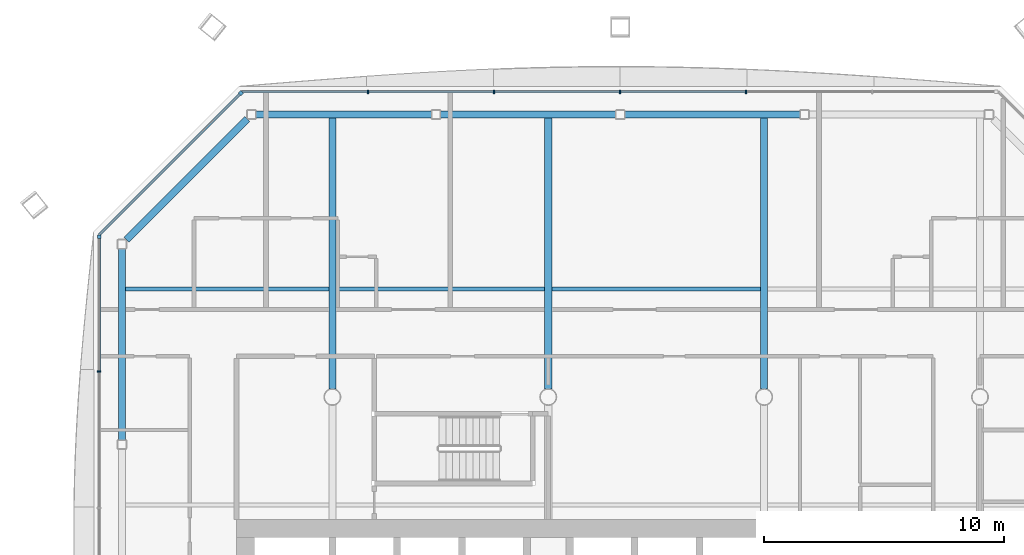
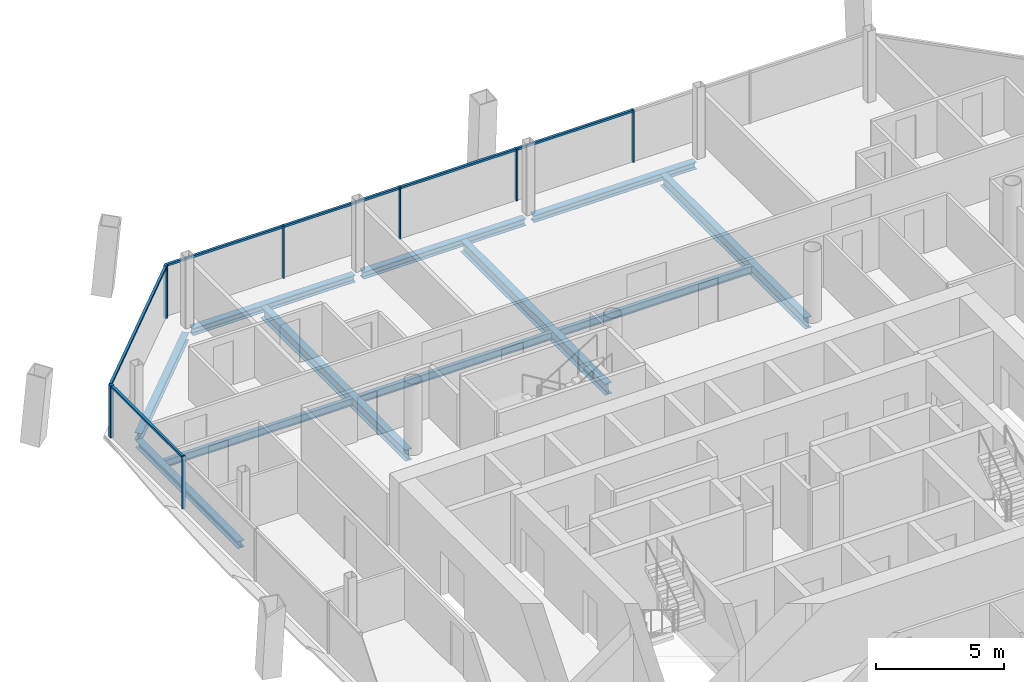
# One storey, part 8 of 17: 13 members, 11 beams, 3 elements without a shape of their own.
"""IFC4 building model written with IfcOpenShell, lengths in metres."""

from ifc_helpers import new_model, si_unit, direction, frame, origin, origin_2d, place, context, subcontext, project, spatial, rectangle, i_section, extrude, material, material_profile, profile_set, type_object, element, aggregate, save


model = new_model("IFC4")

# Units and contexts
model_context = context("Model", 3, precision=1e-05, world=origin(), true_north=direction((0.0, 1.0)))
body_context = subcontext(model_context, "Body", "Model", "MODEL_VIEW")
ifc_project = project(units=[si_unit("LENGTHUNIT", "METRE"), si_unit("AREAUNIT", "SQUARE_METRE"), si_unit("VOLUMEUNIT", "CUBIC_METRE"), si_unit("PLANEANGLEUNIT", "RADIAN"), si_unit("MASSUNIT", "GRAM", prefix="KILO")], contexts=[model_context])

# Site, building, storey
site_placement = place(None, origin())
site = spatial("IfcSite", under=ifc_project, at=site_placement, CompositionType="ELEMENT")
building_placement = place(site_placement, origin())
building = spatial("IfcBuilding", under=site, at=building_placement, Name="Tskaro Facet Tower", CompositionType="ELEMENT")
storey_placement = place(building_placement, frame((0.0, 0.0, 158.89990234375)))
storey = spatial("IfcBuildingStorey", under=building, at=storey_placement, Name="L39", CompositionType="ELEMENT", Elevation=158.89990234375)

# Curtain wall, member
ifc_material_1 = material(Name="Bronze anodised aluminium 6063-T6", Category="aluminium")
curtain_wall_type = type_object("IfcCurtainWallType", Name="Bronze hotel curtain wall (FW2)", PredefinedType="NOTDEFINED", material=ifc_material_1)
curtain_wall_1_placement = place(storey_placement, origin())
curtain_wall_1 = element("IfcCurtainWall", 1, at=curtain_wall_1_placement, inside=storey, type_object=curtain_wall_type, Name="FW2 north-west facet L39", PredefinedType="NOTDEFINED")
ifc_material_profile_1 = material_profile(ifc_material_1, rectangle(XDim=0.14990234375, YDim=0.14990234375, at=origin_2d()), Name="Corner post 150x150")
ifc_profile_set_1 = profile_set([ifc_material_profile_1], Name="Bronze anodised aluminium 6063-T6")
member_type_1 = type_object("IfcMemberType", Name="FW2 bronze corner post 150x150", PredefinedType="MULLION", material=ifc_profile_set_1)
member_1_placement = place(storey_placement, frame((-12.81396484375, 21.6708984375, 0.0), z_axis=(0.0, 0.0, 1.0), x_axis=(-0.707106781187, -0.707106781187, 0.0)))
member_1 = element("IfcMember", 2, at=member_1_placement, type_object=member_type_1, Name="FW2 north-west corner post", PredefinedType="MULLION", context=body_context, shape_type="SweptSolid", body=[
    extrude(rectangle(XDim=0.14990234375, YDim=0.14990234375, at=origin_2d()), origin(), (0.0, 0.0, 1.0), 2.489990234375),
])

curtain_wall_2_placement = place(storey_placement, origin())
curtain_wall_2 = element("IfcCurtainWall", 3, at=curtain_wall_2_placement, inside=storey, type_object=curtain_wall_type, Name="FW2 west facet L39", PredefinedType="NOTDEFINED")
member_2_placement = place(storey_placement, frame((-18.72412109375, 15.68603515625, 0.0), z_axis=(0.0, 0.0, 1.0), x_axis=(0.0, -1.0, 0.0)))
member_2 = element("IfcMember", 4, at=member_2_placement, type_object=member_type_1, Name="FW2 west corner post", PredefinedType="MULLION", context=body_context, shape_type="SweptSolid", body=[
    extrude(rectangle(XDim=0.14990234375, YDim=0.14990234375, at=origin_2d()), origin(), (0.0, 0.0, 1.0), 2.489990234375),
])

# Curtain wall, members
curtain_wall_3_placement = place(storey_placement, origin())
curtain_wall_3 = element("IfcCurtainWall", 5, at=curtain_wall_3_placement, inside=storey, type_object=curtain_wall_type, Name="FW2 north facet L39", PredefinedType="NOTDEFINED")
ifc_material_profile_2 = material_profile(ifc_material_1, rectangle(XDim=0.06005859375, YDim=0.14990234375, at=origin_2d()), Name="Mullion 60x150")
ifc_profile_set_2 = profile_set([ifc_material_profile_2], Name="Bronze anodised aluminium 6063-T6")
member_type_2 = type_object("IfcMemberType", Name="FW2 bronze mullion 60x150", PredefinedType="MULLION", material=ifc_profile_set_2)
member_3_placement = place(storey_placement, frame((8.253662109375, 21.72412109375, 0.0), z_axis=(0.0, 0.0, 1.0), x_axis=(-1.0, 0.0, 0.0)))
member_3 = element("IfcMember", 6, at=member_3_placement, type_object=member_type_2, Name="FW2 north mullion 2", PredefinedType="MULLION", context=body_context, shape_type="SweptSolid", body=[
    extrude(rectangle(XDim=0.06005859375, YDim=0.14990234375, at=origin_2d()), origin(), (0.0, 0.0, 1.0), 2.489990234375),
])
member_4_placement = place(storey_placement, frame((3.0, 21.72412109375, 0.0), z_axis=(0.0, 0.0, 1.0), x_axis=(-1.0, 0.0, 0.0)))
member_4 = element("IfcMember", 7, at=member_4_placement, type_object=member_type_2, Name="FW2 north mullion 3", PredefinedType="MULLION", context=body_context, shape_type="SweptSolid", body=[
    extrude(rectangle(XDim=0.06005859375, YDim=0.14990234375, at=origin_2d()), origin(), (0.0, 0.0, 1.0), 2.489990234375),
])
member_5_placement = place(storey_placement, frame((-2.253662109375, 21.72412109375, 0.0), z_axis=(0.0, 0.0, 1.0), x_axis=(-1.0, 0.0, 0.0)))
member_5 = element("IfcMember", 8, at=member_5_placement, type_object=member_type_2, Name="FW2 north mullion 4", PredefinedType="MULLION", context=body_context, shape_type="SweptSolid", body=[
    extrude(rectangle(XDim=0.06005859375, YDim=0.14990234375, at=origin_2d()), origin(), (0.0, 0.0, 1.0), 2.489990234375),
])
member_6_placement = place(storey_placement, frame((-7.50732421875, 21.72412109375, 0.0), z_axis=(0.0, 0.0, 1.0), x_axis=(-1.0, 0.0, 0.0)))
member_6 = element("IfcMember", 9, at=member_6_placement, type_object=member_type_2, Name="FW2 north mullion 5", PredefinedType="MULLION", context=body_context, shape_type="SweptSolid", body=[
    extrude(rectangle(XDim=0.06005859375, YDim=0.14990234375, at=origin_2d()), origin(), (0.0, 0.0, 1.0), 2.489990234375),
])

# Member
member_7_placement = place(storey_placement, frame((-18.72412109375, 10.06884765625, 0.0), z_axis=(0.0, 0.0, 1.0), x_axis=(0.0, -1.0, 0.0)))
member_7 = element("IfcMember", 10, at=member_7_placement, type_object=member_type_2, Name="FW2 west mullion 1", PredefinedType="MULLION", context=body_context, shape_type="SweptSolid", body=[
    extrude(rectangle(XDim=0.06005859375, YDim=0.14990234375, at=origin_2d()), origin(), (0.0, 0.0, 1.0), 2.489990234375),
])

ifc_material_profile_3 = material_profile(ifc_material_1, rectangle(XDim=0.110107421875, YDim=0.10009765625, at=origin_2d()), Name="Transom 110x100")
ifc_profile_set_3 = profile_set([ifc_material_profile_3], Name="Bronze anodised aluminium 6063-T6")
member_type_3 = type_object("IfcMemberType", Name="FW2 bronze transom 110x100", PredefinedType="USERDEFINED", material=ifc_profile_set_3)
member_8_placement = place(storey_placement, frame((8.2236328125, 21.72412109375, 2.440185546875), z_axis=(-1.0, 0.0, 0.0), x_axis=(0.0, -1.0, 0.0)))
member_8 = element("IfcMember", 11, at=member_8_placement, type_object=member_type_3, Name="FW2 north transom 3.1", ObjectType="TRANSOM", PredefinedType="USERDEFINED", context=body_context, shape_type="SweptSolid", body=[
    extrude(rectangle(XDim=0.110107421875, YDim=0.10009765625, at=origin_2d()), origin(), (0.0, 0.0, 1.0), 5.193603515625),
])

member_9_placement = place(storey_placement, frame((2.969970703125, 21.72412109375, 2.440185546875), z_axis=(-1.0, 0.0, 0.0), x_axis=(0.0, -1.0, 0.0)))
member_9 = element("IfcMember", 12, at=member_9_placement, type_object=member_type_3, Name="FW2 north transom 4.1", ObjectType="TRANSOM", PredefinedType="USERDEFINED", context=body_context, shape_type="SweptSolid", body=[
    extrude(rectangle(XDim=0.110107421875, YDim=0.10009765625, at=origin_2d()), origin(), (0.0, 0.0, 1.0), 5.193603515625),
])

member_10_placement = place(storey_placement, frame((-2.28369140625, 21.72412109375, 2.440185546875), z_axis=(-1.0, 0.0, 0.0), x_axis=(0.0, -1.0, 0.0)))
member_10 = element("IfcMember", 13, at=member_10_placement, type_object=member_type_3, Name="FW2 north transom 5.1", ObjectType="TRANSOM", PredefinedType="USERDEFINED", context=body_context, shape_type="SweptSolid", body=[
    extrude(rectangle(XDim=0.110107421875, YDim=0.10009765625, at=origin_2d()), origin(), (0.0, 0.0, 1.0), 5.193603515625),
])

member_11_placement = place(storey_placement, frame((-7.537353515625, 21.72412109375, 2.440185546875), z_axis=(-1.0, 0.0, 0.0), x_axis=(0.0, -1.0, 0.0)))
member_11 = element("IfcMember", 14, at=member_11_placement, type_object=member_type_3, Name="FW2 north transom 6.1", ObjectType="TRANSOM", PredefinedType="USERDEFINED", context=body_context, shape_type="SweptSolid", body=[
    extrude(rectangle(XDim=0.110107421875, YDim=0.10009765625, at=origin_2d()), origin(), (0.0, 0.0, 1.0), 5.2236328125),
])

aggregate(curtain_wall_3, [member_3, member_4, member_5, member_6, member_8, member_9, member_10, member_11])

member_12_placement = place(storey_placement, frame((-12.8671875, 21.617919921875, 2.440185546875), z_axis=(-0.707106781187, -0.707106781187, 0.0), x_axis=(0.707106781187, -0.707106781187, 0.0)))
member_12 = element("IfcMember", 15, at=member_12_placement, type_object=member_type_3, Name="FW2 north-west transom 1.1", ObjectType="TRANSOM", PredefinedType="USERDEFINED", context=body_context, shape_type="SweptSolid", body=[
    extrude(rectangle(XDim=0.110107421875, YDim=0.10009765625, at=origin_2d()), origin(), (0.0, 0.0, 1.0), 8.282958984375),
])

aggregate(curtain_wall_1, [member_1, member_12])

member_13_placement = place(storey_placement, frame((-18.72412109375, 15.611083984375, 2.440185546875), z_axis=(0.0, -1.0, 0.0), x_axis=(1.0, 0.0, 0.0)))
member_13 = element("IfcMember", 16, at=member_13_placement, type_object=member_type_3, Name="FW2 west transom 1.1", ObjectType="TRANSOM", PredefinedType="USERDEFINED", context=body_context, shape_type="SweptSolid", body=[
    extrude(rectangle(XDim=0.110107421875, YDim=0.10009765625, at=origin_2d()), origin(), (0.0, 0.0, 1.0), 5.51220703125),
])

aggregate(curtain_wall_2, [member_2, member_7, member_13])

# Beams
ifc_material_2 = material(Name="Steel S355J2", Category="steel")
ifc_material_profile_4 = material_profile(ifc_material_2, i_section(OverallWidth=0.300048828125, OverallDepth=0.340087890625, WebThickness=0.011962890625, FlangeThickness=0.021484375, FilletRadius=0.027099609375, at=origin_2d()), Name="HE 340 B")
ifc_profile_set_4 = profile_set([ifc_material_profile_4], Name="Steel S355J2")
beam_type_1 = type_object("IfcBeamType", Name="HE 340 B ring beam", PredefinedType="BEAM", material=ifc_profile_set_4)
for number, where, z_axis, x_axis, name in (
    (17, (10.50390625, 20.77392578125, -0.309814453125), (-1.0, 0.0, 0.0), (0.0, -1.0, 0.0), "HE 340 B EB12-3"),
    (18, (2.820068359375, 20.77392578125, -0.309814453125), (-1.0, 0.0, 0.0), (0.0, -1.0, 0.0), "HE 340 B EB13-3"),
    (19, (-4.864013671875, 20.77392578125, -0.309814453125), (-1.0, 0.0, 0.0), (0.0, -1.0, 0.0), "HE 340 B EB14-3"),
):
    element("IfcBeam", number, at=place(storey_placement, frame(where, z_axis=z_axis, x_axis=x_axis)), inside=storey, type_object=beam_type_1, Name=name, PredefinedType="BEAM", context=body_context, shape_type="SweptSolid", body=[
        extrude(i_section(OverallWidth=0.300048828125, OverallDepth=0.340087890625, WebThickness=0.011962890625, FlangeThickness=0.021484375, FilletRadius=0.027099609375, at=origin_2d()), origin(), (0.0, 0.0, 1.0), 7.323974609375),
    ])
beam_1_placement = place(storey_placement, frame((-12.553955078125, 20.588134765625, -0.309814453125), z_axis=(-0.707106781187, -0.707106781187, 0.0), x_axis=(0.707106781187, -0.707106781187, 0.0)))
element("IfcBeam", 20, at=beam_1_placement, inside=storey, type_object=beam_type_1, Name="HE 340 B EB15-3", PredefinedType="BEAM", context=body_context, shape_type="SweptSolid", body=[
    extrude(i_section(OverallWidth=0.300048828125, OverallDepth=0.340087890625, WebThickness=0.011962890625, FlangeThickness=0.021484375, FilletRadius=0.027099609375, at=origin_2d()), origin(), (0.0, 0.0, 1.0), 7.119384765625),
])
beam_2_placement = place(storey_placement, frame((-17.77392578125, 15.18798828125, -0.309814453125), z_axis=(0.0, -1.0, 0.0), x_axis=(1.0, 0.0, 0.0)))
element("IfcBeam", 21, at=beam_2_placement, inside=storey, type_object=beam_type_1, Name="HE 340 B EB16-3", PredefinedType="BEAM", context=body_context, shape_type="SweptSolid", body=[
    extrude(i_section(OverallWidth=0.300048828125, OverallDepth=0.340087890625, WebThickness=0.011962890625, FlangeThickness=0.021484375, FilletRadius=0.027099609375, at=origin_2d()), origin(), (0.0, 0.0, 1.0), 7.98193359375),
])
ifc_material_profile_5 = material_profile(ifc_material_2, i_section(OverallWidth=0.300048828125, OverallDepth=0.5400390625, WebThickness=0.012451171875, FlangeThickness=0.02392578125, FilletRadius=0.027099609375, at=origin_2d()), Name="HE 550 A")
ifc_profile_set_5 = profile_set([ifc_material_profile_5], Name="Steel S355J2")
beam_type_2 = type_object("IfcBeamType", Name="HE 550 A long girder", PredefinedType="BEAM", material=ifc_profile_set_5)
for number, where, z_axis, x_axis, name in (
    (22, (-9.0, 9.325439453125, -0.409912109375), (0.0, 1.0, 0.0), (-1.0, 0.0, 0.0), "HE 550 A LGB3-3-3"),
    (23, (0.0, 9.325439453125, -0.409912109375), (0.0, 1.0, 0.0), (-1.0, 0.0, 0.0), "HE 550 A LGB4-3-3"),
    (24, (9.0, 9.325439453125, -0.409912109375), (0.0, 1.0, 0.0), (-1.0, 0.0, 0.0), "HE 550 A LGB5-3-3"),
):
    element("IfcBeam", number, at=place(storey_placement, frame(where, z_axis=z_axis, x_axis=x_axis)), inside=storey, type_object=beam_type_2, Name=name, PredefinedType="BEAM", context=body_context, shape_type="SweptSolid", body=[
        extrude(i_section(OverallWidth=0.300048828125, OverallDepth=0.5400390625, WebThickness=0.012451171875, FlangeThickness=0.02392578125, FilletRadius=0.027099609375, at=origin_2d()), origin(), (0.0, 0.0, 1.0), 11.298583984375),
    ])
ifc_material_profile_6 = material_profile(ifc_material_2, i_section(OverallWidth=0.169921875, OverallDepth=0.360107421875, WebThickness=0.008056640625, FlangeThickness=0.0126953125, FilletRadius=0.01806640625, at=origin_2d()), Name="IPE 360")
ifc_profile_set_6 = profile_set([ifc_material_profile_6], Name="Steel S355J2")
beam_type_3 = type_object("IfcBeamType", Name="IPE 360 secondary beam", PredefinedType="BEAM", material=ifc_profile_set_6)
beam_3_placement = place(storey_placement, frame((-17.6240234375, 13.5, -0.31982421875), z_axis=(1.0, 0.0, 0.0), x_axis=(0.0, 1.0, 0.0)))
element("IfcBeam", 25, at=beam_3_placement, inside=storey, type_object=beam_type_3, Name="IPE 360 SB5a-1-3", PredefinedType="BEAM", context=body_context, shape_type="SweptSolid", body=[
    extrude(i_section(OverallWidth=0.169921875, OverallDepth=0.360107421875, WebThickness=0.008056640625, FlangeThickness=0.0126953125, FilletRadius=0.01806640625, at=origin_2d()), origin(), (0.0, 0.0, 1.0), 8.47412109375),
])
for number, where, z_axis, x_axis, name in (
    (26, (-8.85009765625, 13.5, -0.31982421875), (1.0, 0.0, 0.0), (0.0, 1.0, 0.0), "IPE 360 SB5a-2-3"),
    (27, (0.14990234375, 13.5, -0.31982421875), (1.0, 0.0, 0.0), (0.0, 1.0, 0.0), "IPE 360 SB5a-3-3"),
):
    element("IfcBeam", number, at=place(storey_placement, frame(where, z_axis=z_axis, x_axis=x_axis)), inside=storey, type_object=beam_type_3, Name=name, PredefinedType="BEAM", context=body_context, shape_type="SweptSolid", body=[
        extrude(i_section(OverallWidth=0.169921875, OverallDepth=0.360107421875, WebThickness=0.008056640625, FlangeThickness=0.0126953125, FilletRadius=0.01806640625, at=origin_2d()), origin(), (0.0, 0.0, 1.0), 8.7001953125),
    ])

save(model, "model.ifc")
